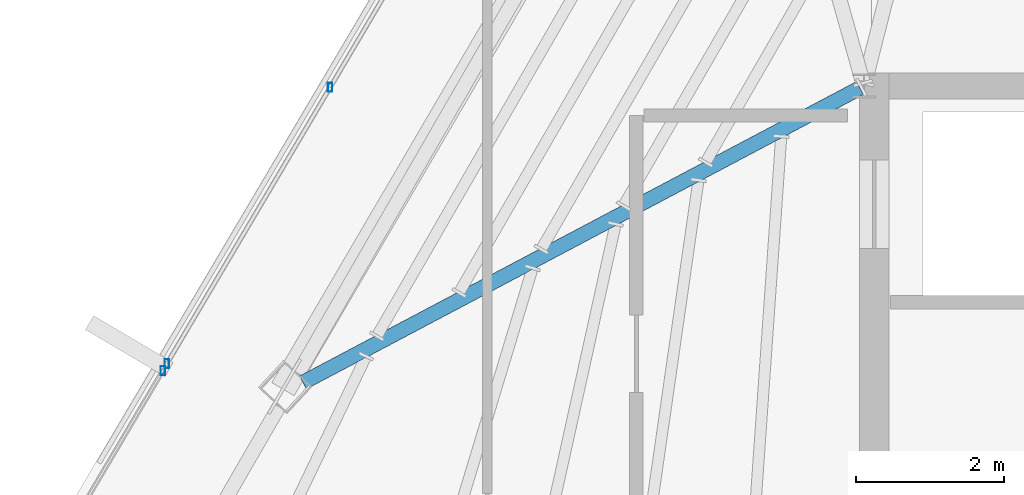
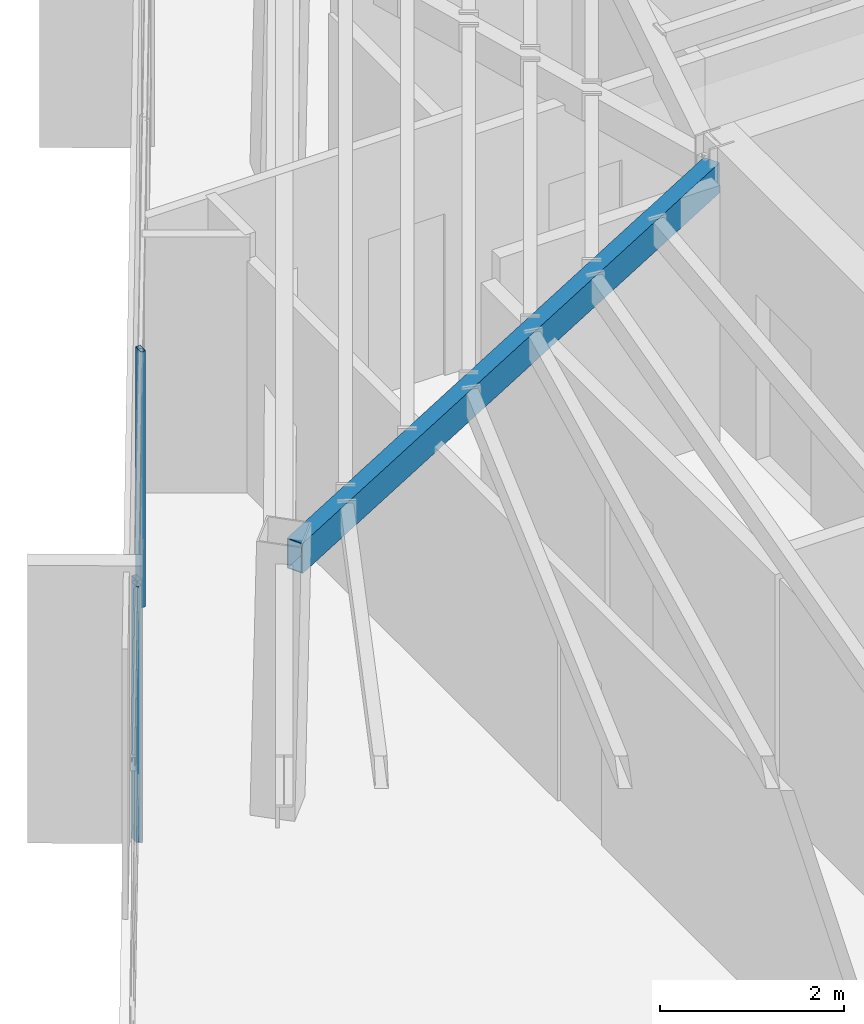
# One storey, part 17 of 48: 3 members, 1 beam, 2 elements without a shape of their own.
"""IFC4 building model written with IfcOpenShell, lengths in metres."""

from ifc_helpers import new_model, si_unit, direction, frame, origin, origin_2d, place, context, subcontext, project, spatial, hollow_rectangle, extrude, source, transform, mapped, material, material_profile, profile_set, type_object, type_shapes, element, aggregate, save


model = new_model("IFC4")

# Units and contexts
model_context = context("Model", 3, precision=1e-05, world=origin(), true_north=direction((0.0, 1.0)))
body_context = subcontext(model_context, "Body", "Model", "MODEL_VIEW")
ifc_project = project(units=[si_unit("LENGTHUNIT", "METRE"), si_unit("AREAUNIT", "SQUARE_METRE"), si_unit("VOLUMEUNIT", "CUBIC_METRE"), si_unit("PLANEANGLEUNIT", "RADIAN"), si_unit("MASSUNIT", "GRAM", prefix="KILO")], contexts=[model_context])

# Site, building, storey
site_placement = place(None, origin())
site = spatial("IfcSite", under=ifc_project, at=site_placement, CompositionType="ELEMENT")
building_placement = place(site_placement, origin())
building = spatial("IfcBuilding", under=site, at=building_placement, Name="Caelisora Broadcast Tower", CompositionType="ELEMENT")
storey_placement = place(building_placement, frame((0.0, 0.0, 277.300048828125)))
storey = spatial("IfcBuildingStorey", under=building, at=storey_placement, Name="L73", CompositionType="ELEMENT", Elevation=277.300048828125)

# Beam
ifc_material_1 = material(Name="Steel Grade 350 (AS/NZS 1163 C350L0)", Category="steel")
ifc_material_profile_1 = material_profile(ifc_material_1, hollow_rectangle(XDim=0.199951171875, YDim=0.39990234375, WallThickness=0.012451171875, at=origin_2d()), Name="Steel Grade 350 (AS/NZS 1163 C350L0)")
ifc_profile_set_1 = profile_set([ifc_material_profile_1], Name="Steel Grade 350 (AS/NZS 1163 C350L0)")
beam_type = type_object("IfcBeamType", Name="PG07", PredefinedType="BEAM", material=ifc_profile_set_1)
shared_shape_1 = source(origin(), body_context, "Body", "SweptSolid", [
    extrude(hollow_rectangle(XDim=0.199951171875, YDim=0.39990234375, WallThickness=0.012451171875, at=origin_2d()), origin(), (0.0, 0.0, 1.0), 8.531005859375),
])
type_shapes(beam_type, [shared_shape_1])
beam_placement = place(storey_placement, frame((30.447021484375, 29.971923828125, 3.199951171875), z_axis=(-0.88404882437, -0.46739456151, 0.0), x_axis=(0.46739456151, -0.88404882437, 0.0)))
element("IfcBeam", 1, at=beam_placement, inside=storey, type_object=beam_type, Name="L73 beam PG07", PredefinedType="BEAM", context=body_context, shape_type="MappedRepresentation", body=[
    mapped(shared_shape_1, transform((0.0, 0.0, 0.0), scale=1.0)),
])

# Curtain wall, member
ifc_material_2 = material(Name="Unitised Aluminium and Low-E Glass Curtain Wall", Category="glass")
curtain_wall_type_1 = type_object("IfcCurtainWallType", Name="CW-Z5", PredefinedType="NOTDEFINED", material=ifc_material_2)
curtain_wall_1_placement = place(storey_placement, origin())
curtain_wall_1 = element("IfcCurtainWall", 2, at=curtain_wall_1_placement, inside=storey, type_object=curtain_wall_type_1, Name="L73 curtain wall CW-Z5", PredefinedType="NOTDEFINED")
ifc_material_3 = material(Name="Aluminium 6063-T6 Anodised Terracotta Bronze", Category="aluminium")
ifc_material_profile_2 = material_profile(ifc_material_3, hollow_rectangle(XDim=0.06005859375, YDim=0.1201171875, WallThickness=0.0029296875, at=origin_2d()), Name="Aluminium 6063-T6 Anodised Terracotta Bronze")
ifc_profile_set_2 = profile_set([ifc_material_profile_2], Name="Aluminium 6063-T6 Anodised Terracotta Bronze")
member_type = type_object("IfcMemberType", Name="CWM-04", PredefinedType="MULLION", material=ifc_profile_set_2)
shared_shape_2 = source(origin(), body_context, "Body", "SweptSolid", [
    extrude(hollow_rectangle(XDim=0.06005859375, YDim=0.1201171875, WallThickness=0.0029296875, at=origin_2d()), origin(), (0.0, 0.0, 1.0), 3.39990234375),
])
type_shapes(member_type, [shared_shape_2])
member_1_placement = place(storey_placement, frame((21.0078125, 26.1455078125, 0.0), z_axis=(0.0, 0.0, 1.0), x_axis=(1.0, 0.0, 0.0)))
member_1 = element("IfcMember", 3, at=member_1_placement, type_object=member_type, Name="L73-CW-B09 mullion #3", PredefinedType="MULLION", context=body_context, shape_type="MappedRepresentation", body=[
    mapped(shared_shape_2, transform((0.0, 0.0, 0.0), scale=1.0)),
])
aggregate(curtain_wall_1, [member_1])

# Curtain wall, members
ifc_material_4 = material(Name="Unitised Aluminium Insulated Shadow-Box Spandrel Curtain Wall", Category="aluminium")
curtain_wall_type_2 = type_object("IfcCurtainWallType", Name="CW-SP3", PredefinedType="NOTDEFINED", material=ifc_material_4)
curtain_wall_2_placement = place(storey_placement, origin())
curtain_wall_2 = element("IfcCurtainWall", 4, at=curtain_wall_2_placement, inside=storey, type_object=curtain_wall_type_2, Name="L73 curtain wall CW-SP3", PredefinedType="NOTDEFINED")
member_2_placement = place(storey_placement, frame((21.063720703125, 26.239990234375, 0.0), z_axis=(0.0, 0.0, 1.0), x_axis=(1.0, 0.0, 0.0)))
member_2 = element("IfcMember", 5, at=member_2_placement, type_object=member_type, Name="L73-CW-B10 mullion #0", PredefinedType="MULLION", context=body_context, shape_type="MappedRepresentation", body=[
    mapped(shared_shape_2, transform((0.0, 0.0, 0.0), scale=1.0)),
])
member_3_placement = place(storey_placement, frame((23.274169921875, 29.9814453125, 0.0), z_axis=(0.0, 0.0, 1.0), x_axis=(1.0, 0.0, 0.0)))
member_3 = element("IfcMember", 6, at=member_3_placement, type_object=member_type, Name="L73-CW-B10 mullion #1", PredefinedType="MULLION", context=body_context, shape_type="MappedRepresentation", body=[
    mapped(shared_shape_2, transform((0.0, 0.0, 0.0), scale=1.0)),
])
aggregate(curtain_wall_2, [member_2, member_3])

save(model, "model.ifc")
